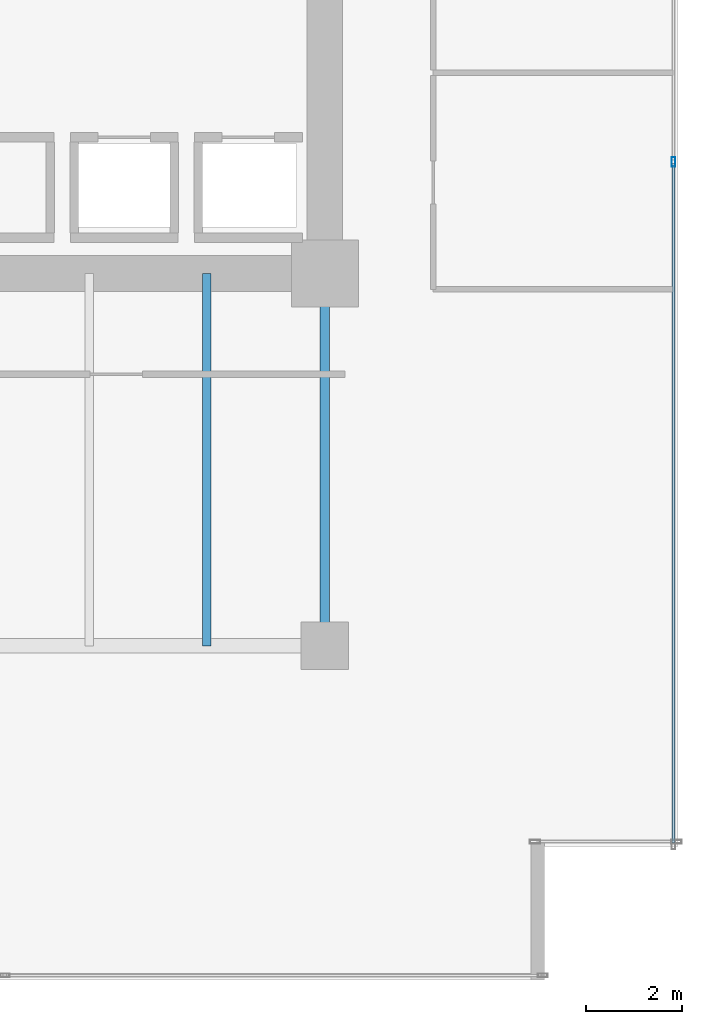
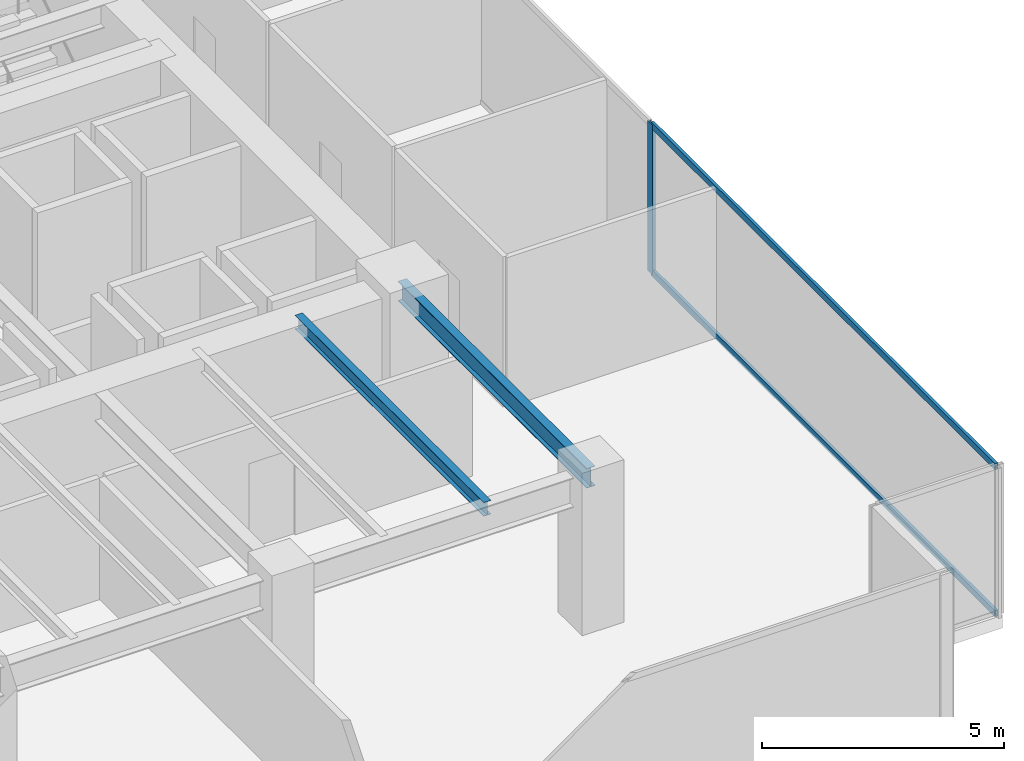
# One storey, part 24 of 35: 3 members, 2 beams, 1 element without a shape of its own.
"""IFC4 building model written with IfcOpenShell, lengths in metres."""

from ifc_helpers import new_model, si_unit, direction, frame, origin, origin_2d, place, context, subcontext, project, spatial, hollow_rectangle, i_section, extrude, source, transform, mapped, material, layer, layer_set, material_profile, profile_set, type_object, type_shapes, element, aggregate, save


model = new_model("IFC4")

# Units and contexts
model_context = context("Model", 3, precision=1e-05, world=origin(), true_north=direction((0.0, 1.0)))
body_context = subcontext(model_context, "Body", "Model", "MODEL_VIEW")
ifc_project = project(units=[si_unit("LENGTHUNIT", "METRE"), si_unit("AREAUNIT", "SQUARE_METRE"), si_unit("VOLUMEUNIT", "CUBIC_METRE"), si_unit("PLANEANGLEUNIT", "RADIAN"), si_unit("MASSUNIT", "GRAM", prefix="KILO")], contexts=[model_context])

# Site, building, storey
site_placement = place(None, origin())
site = spatial("IfcSite", under=ifc_project, at=site_placement, CompositionType="ELEMENT")
building_placement = place(site_placement, origin())
building = spatial("IfcBuilding", under=site, at=building_placement, Name="Haelvirn Gate Laboratories", CompositionType="ELEMENT")
storey_placement = place(building_placement, frame((0.0, 0.0, 58.0)))
storey = spatial("IfcBuildingStorey", under=building, at=storey_placement, Name="L14", CompositionType="ELEMENT", Elevation=58.0)

# Beams
ifc_material_1 = material(Name="Steel SM355", Category="steel")
ifc_material_profile_1 = material_profile(ifc_material_1, i_section(OverallWidth=0.199951171875, OverallDepth=0.5, WebThickness=0.010009765625, FlangeThickness=0.01611328125, at=origin_2d()), Name="H-500x200x10x16")
ifc_profile_set_1 = profile_set([ifc_material_profile_1], Name="Steel SM355")
beam_type_1 = type_object("IfcBeamType", Name="BM-SP-500", PredefinedType="SPANDREL", material=ifc_profile_set_1)
shared_shape_1 = source(origin(), body_context, "Body", "SweptSolid", [
    extrude(i_section(OverallWidth=0.199951171875, OverallDepth=0.5, WebThickness=0.010009765625, FlangeThickness=0.01611328125, at=origin_2d()), origin(), (0.0, 0.0, 1.0), 7.800048828125),
])
type_shapes(beam_type_1, [shared_shape_1])
beam_1_placement = place(storey_placement, frame((67.39990234375, 7.0, 3.530029296875), z_axis=(0.0, 1.0, 0.0), x_axis=(-1.0, 0.0, 0.0)))
element("IfcBeam", 1, at=beam_1_placement, inside=storey, type_object=beam_type_1, Name="L14 Perimeter Spandrel X67.4 (7.0-14.8)", PredefinedType="SPANDREL", context=body_context, shape_type="MappedRepresentation", body=[
    mapped(shared_shape_1, transform((0.0, 0.0, 0.0), scale=1.0)),
])
ifc_material_profile_2 = material_profile(ifc_material_1, i_section(OverallWidth=0.175048828125, OverallDepth=0.35009765625, WebThickness=0.007080078125, FlangeThickness=0.010986328125, at=origin_2d()), Name="H-350x175x7x11")
ifc_profile_set_2 = profile_set([ifc_material_profile_2], Name="Steel SM355")
beam_type_2 = type_object("IfcBeamType", Name="BM-J-350", PredefinedType="JOIST", material=ifc_profile_set_2)
shared_shape_2 = source(origin(), body_context, "Body", "SweptSolid", [
    extrude(i_section(OverallWidth=0.175048828125, OverallDepth=0.35009765625, WebThickness=0.007080078125, FlangeThickness=0.010986328125, at=origin_2d()), origin(), (0.0, 0.0, 1.0), 7.800048828125),
])
type_shapes(beam_type_2, [shared_shape_2])
beam_2_placement = place(storey_placement, frame((64.929931640625, 7.0, 3.60498046875), z_axis=(0.0, 1.0, 0.0), x_axis=(-1.0, 0.0, 0.0)))
element("IfcBeam", 2, at=beam_2_placement, inside=storey, type_object=beam_type_2, Name="L14 Composite Lab Joist South X64.93", PredefinedType="JOIST", context=body_context, shape_type="MappedRepresentation", body=[
    mapped(shared_shape_2, transform((0.0, 0.0, 0.0), scale=1.0)),
])

# Curtain wall, members
ifc_material_2 = material(Name="Anodised bronze unitised aluminium & triple low-E glass", Category="aluminium")
ifc_layer = layer(ifc_material_2, 0.18408203125, Name="CW-SYS-2")
ifc_layer_set = layer_set([ifc_layer], Name="Anodised bronze unitised aluminium & triple low-E glass")
curtain_wall_type = type_object("IfcCurtainWallType", Name="CW-SYS-2", PredefinedType="NOTDEFINED", material=ifc_layer_set)
curtain_wall_placement = place(storey_placement, origin())
curtain_wall = element("IfcCurtainWall", 3, at=curtain_wall_placement, inside=storey, type_object=curtain_wall_type, Name="L14 Unitised Curtain Wall CW-L14-P0-E07", PredefinedType="NOTDEFINED")
ifc_material_3 = material(Name="Extruded aluminium 6063-T6 (anodised bronze)", Category="aluminium")
ifc_material_profile_3 = material_profile(ifc_material_3, hollow_rectangle(XDim=0.074951171875, YDim=0.199951171875, WallThickness=0.0048828125, at=origin_2d()), Name="CWM-200x75x5")
ifc_profile_set_3 = profile_set([ifc_material_profile_3], Name="Extruded aluminium 6063-T6 (anodised bronze)")
member_type_1 = type_object("IfcMemberType", Name="CWM-T200", PredefinedType="MULLION", material=ifc_profile_set_3)
shared_shape_3 = source(origin(), body_context, "Body", "SweptSolid", [
    extrude(hollow_rectangle(XDim=0.074951171875, YDim=0.199951171875, WallThickness=0.0048828125, at=origin_2d()), origin(), (0.0, 0.0, 1.0), 3.780029296875),
])
type_shapes(member_type_1, [shared_shape_3])
member_1_placement = place(storey_placement, frame((74.699951171875, 17.13330078125, 0.0), z_axis=(0.0, 0.0, 1.0), x_axis=(-1.0, 0.0, 0.0)))
member_1 = element("IfcMember", 4, at=member_1_placement, type_object=member_type_1, Name="CW2 mullion 2", PredefinedType="MULLION", context=body_context, shape_type="MappedRepresentation", body=[
    mapped(shared_shape_3, transform((0.0, 0.0, 0.0), scale=1.0)),
])
ifc_material_profile_4 = material_profile(ifc_material_3, hollow_rectangle(XDim=0.070068359375, YDim=0.159912109375, WallThickness=0.0048828125, at=origin_2d()), Name="CWT-160x70x5")
ifc_profile_set_4 = profile_set([ifc_material_profile_4], Name="Extruded aluminium 6063-T6 (anodised bronze)")
member_type_2 = type_object("IfcMemberType", Name="CWT-T160", PredefinedType="USERDEFINED", material=ifc_profile_set_4)
shared_shape_4 = source(origin(), body_context, "Body", "SweptSolid", [
    extrude(hollow_rectangle(XDim=0.070068359375, YDim=0.159912109375, WallThickness=0.0048828125, at=origin_2d()), origin(), (0.0, 0.0, 1.0), 14.220947265625),
])
type_shapes(member_type_2, [shared_shape_4])
member_2_placement = place(storey_placement, frame((74.699951171875, 2.875, 0.034912109375), z_axis=(0.0, 1.0, 0.0), x_axis=(-1.0, 0.0, 0.0)))
member_2 = element("IfcMember", 5, at=member_2_placement, type_object=member_type_2, Name="CW2 transom 1.1", ObjectType="TRANSOM", PredefinedType="USERDEFINED", context=body_context, shape_type="MappedRepresentation", body=[
    mapped(shared_shape_4, transform((0.0, 0.0, 0.0), scale=1.0)),
])
member_3_placement = place(storey_placement, frame((74.699951171875, 2.875, 3.7451171875), z_axis=(0.0, 1.0, 0.0), x_axis=(-1.0, 0.0, 0.0)))
member_3 = element("IfcMember", 6, at=member_3_placement, type_object=member_type_2, Name="CW2 transom 1.2", ObjectType="TRANSOM", PredefinedType="USERDEFINED", context=body_context, shape_type="MappedRepresentation", body=[
    mapped(shared_shape_4, transform((0.0, 0.0, 0.0), scale=1.0)),
])
aggregate(curtain_wall, [member_1, member_2, member_3])

save(model, "model.ifc")
